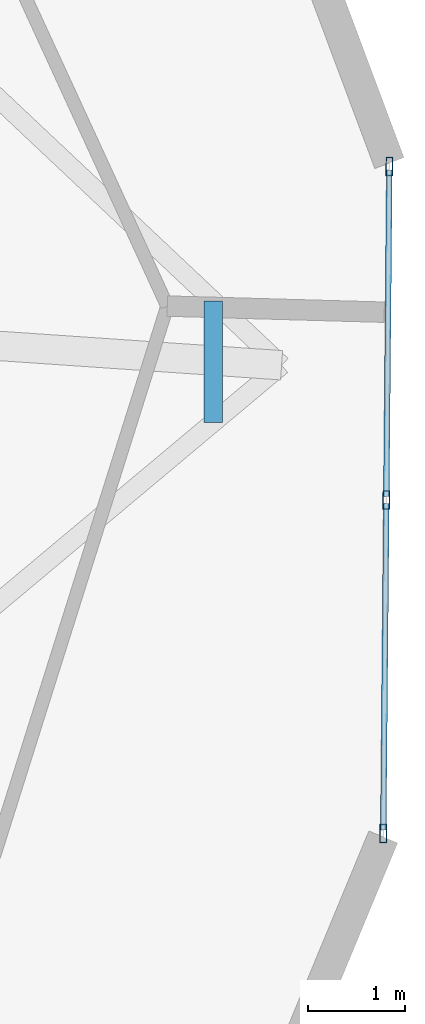
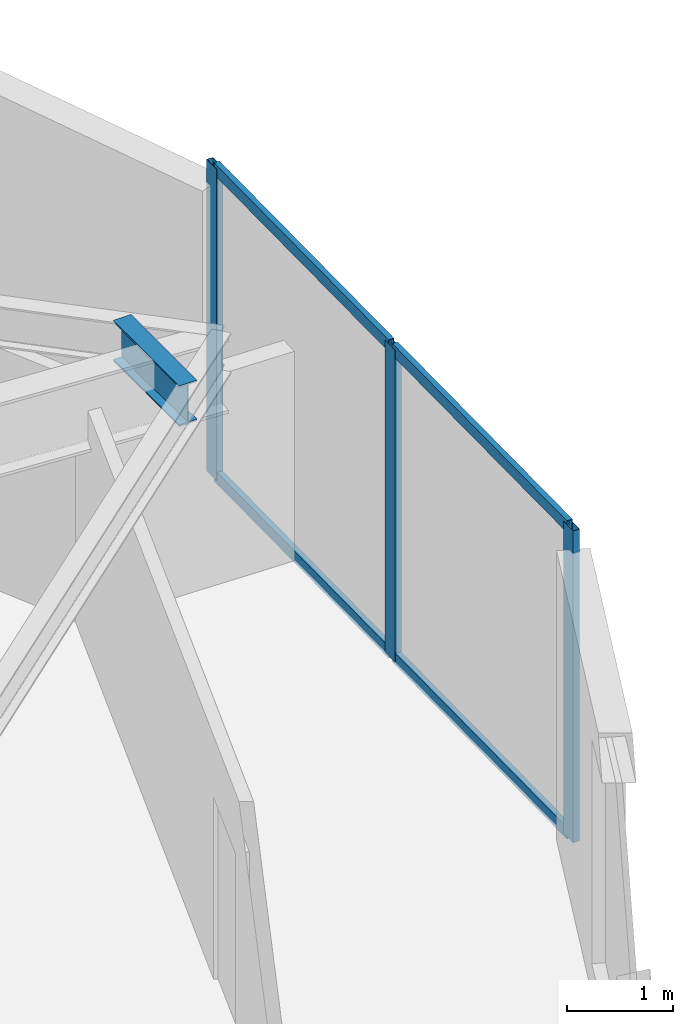
# One storey, part 10 of 20: 7 members, 1 beam, 1 element without a shape of its own.
"""IFC4 building model written with IfcOpenShell, lengths in metres."""

from ifc_helpers import new_model, si_unit, direction, frame, origin, origin_2d, place, context, subcontext, project, spatial, hollow_rectangle, i_section, extrude, source, transform, mapped, material, layer, layer_set, material_profile, profile_set, type_object, element, aggregate, save


model = new_model("IFC4")

# Units and contexts
model_context = context("Model", 3, precision=1e-05, world=origin(), true_north=direction((0.0, 1.0)))
body_context = subcontext(model_context, "Body", "Model", "MODEL_VIEW")
ifc_project = project(units=[si_unit("LENGTHUNIT", "METRE"), si_unit("AREAUNIT", "SQUARE_METRE"), si_unit("VOLUMEUNIT", "CUBIC_METRE"), si_unit("PLANEANGLEUNIT", "RADIAN"), si_unit("MASSUNIT", "GRAM", prefix="KILO")], contexts=[model_context])

# Site, building, storey
site_placement = place(None, origin())
site = spatial("IfcSite", under=ifc_project, at=site_placement, CompositionType="ELEMENT")
building_placement = place(site_placement, origin())
building = spatial("IfcBuilding", under=site, at=building_placement, Name="Solvirekh Grand Hotel", CompositionType="ELEMENT")
storey_placement = place(building_placement, frame((0.0, 0.0, 50.0)))
storey = spatial("IfcBuildingStorey", under=building, at=storey_placement, Name="L11", CompositionType="ELEMENT", Elevation=50.0)

# Beam
ifc_material_1 = material(Name="Steel S355", Category="steel")
ifc_material_profile_1 = material_profile(ifc_material_1, i_section(OverallWidth=0.194091796875, OverallDepth=0.468994140625, WebThickness=0.010986328125, FlangeThickness=0.01904296875, FilletRadius=0.012939453125, at=origin_2d()), Name="W460X106")
ifc_profile_set_1 = profile_set([ifc_material_profile_1], Name="Steel S355")
beam_type = type_object("IfcBeamType", Name="Beam_Radial_W460H", PredefinedType="BEAM", material=ifc_profile_set_1)
beam_placement = place(storey_placement, frame((25.85888671875, -1.133056640625, 3.055908203125), z_axis=(0.0, 1.0, 0.0), x_axis=(-1.0, 0.0, 0.0)))
element("IfcBeam", 1, at=beam_placement, inside=storey, type_object=beam_type, Name="L12 sky-garden outer cross trimmer", PredefinedType="BEAM", context=body_context, shape_type="SweptSolid", body=[
    extrude(i_section(OverallWidth=0.194091796875, OverallDepth=0.468994140625, WebThickness=0.010986328125, FlangeThickness=0.01904296875, FilletRadius=0.012939453125, at=origin_2d()), origin(), (0.0, 0.0, 1.0), 1.25),
])

# Curtain wall, members
ifc_material_2 = material(Name="Anodized Bronze Aluminium 6063-T6", Category="aluminium")
ifc_layer = layer(ifc_material_2, 0.18994140625)
ifc_layer_set = layer_set([ifc_layer], Name="Anodized Bronze Aluminium 6063-T6")
curtain_wall_type = type_object("IfcCurtainWallType", Name="CW_Sys2_LowZoneFlushBronzeCW", PredefinedType="NOTDEFINED", material=ifc_layer_set)
curtain_wall_placement = place(storey_placement, origin())
curtain_wall = element("IfcCurtainWall", 2, at=curtain_wall_placement, inside=storey, type_object=curtain_wall_type, Name="L11 unitised bronze-glass curtain wall CW-L11-C01", PredefinedType="NOTDEFINED")
ifc_material_profile_2 = material_profile(ifc_material_2, hollow_rectangle(XDim=0.070068359375, YDim=0.18994140625, WallThickness=0.0048828125, at=origin_2d()), Name="ALU RHS 190X70X5")
ifc_profile_set_2 = profile_set([ifc_material_profile_2], Name="Anodized Bronze Aluminium 6063-T6")
member_type_1 = type_object("IfcMemberType", Name="CWMullion_Sys2", PredefinedType="MULLION", material=ifc_profile_set_2)
shared_shape_1 = source(origin(), body_context, "Body", "SweptSolid", [
    extrude(hollow_rectangle(XDim=0.070068359375, YDim=0.18994140625, WallThickness=0.0048828125, at=origin_2d()), origin(), (0.0, 0.0, 1.0), 3.60009765625),
])
member_1_placement = place(storey_placement, frame((27.606201171875, -5.35693359375, 0.0), z_axis=(0.0, 0.0, 1.0), x_axis=(-0.999958620562, 0.00909709647, 0.0)))
member_1 = element("IfcMember", 3, at=member_1_placement, type_object=member_type_1, Name="U02 mullion 1", PredefinedType="MULLION", context=body_context, shape_type="MappedRepresentation", body=[
    mapped(shared_shape_1, transform((0.0, 0.0, 0.0), x_axis=(1.0, 0.0, 0.0), y_axis=(0.0, 1.0, 0.0), z_axis=(0.0, 0.0, 1.0), scale=1.0)),
])
member_2_placement = place(storey_placement, frame((27.637451171875, -1.929443359375, 0.0), z_axis=(0.0, 0.0, 1.0), x_axis=(-0.999958620562, 0.00909709647, 0.0)))
member_2 = element("IfcMember", 4, at=member_2_placement, type_object=member_type_1, Name="U02 mullion 2", PredefinedType="MULLION", context=body_context, shape_type="MappedRepresentation", body=[
    mapped(shared_shape_1, transform((0.0, 0.0, 0.0), x_axis=(1.0, 0.0, 0.0), y_axis=(0.0, 1.0, 0.0), z_axis=(0.0, 0.0, 1.0), scale=1.0)),
])
member_3_placement = place(storey_placement, frame((27.668701171875, 1.498046875, 0.0), z_axis=(0.0, 0.0, 1.0), x_axis=(-0.999958620562, 0.00909709647, 0.0)))
member_3 = element("IfcMember", 5, at=member_3_placement, type_object=member_type_1, Name="U02 mullion 3", PredefinedType="MULLION", context=body_context, shape_type="MappedRepresentation", body=[
    mapped(shared_shape_1, transform((0.0, 0.0, 0.0), x_axis=(1.0, 0.0, 0.0), y_axis=(0.0, 1.0, 0.0), z_axis=(0.0, 0.0, 1.0), scale=1.0)),
])
ifc_material_profile_3 = material_profile(ifc_material_2, hollow_rectangle(XDim=0.06005859375, YDim=0.135009765625, WallThickness=0.00390625, at=origin_2d()), Name="ALU RHS 135X60X4")
ifc_profile_set_3 = profile_set([ifc_material_profile_3], Name="Anodized Bronze Aluminium 6063-T6")
member_type_2 = type_object("IfcMemberType", Name="CWTransom_Sys2", PredefinedType="USERDEFINED", material=ifc_profile_set_3)
shared_shape_2 = source(origin(), body_context, "Body", "SweptSolid", [
    extrude(hollow_rectangle(XDim=0.06005859375, YDim=0.135009765625, WallThickness=0.00390625, at=origin_2d()), origin(), (0.0, 0.0, 1.0), 3.357666015625),
])
member_4_placement = place(storey_placement, frame((27.606689453125, -5.322021484375, 0.030029296875), z_axis=(0.009089211499, 0.999958692264, 0.0), x_axis=(-0.999958692264, 0.009089211499, 0.0)))
member_4 = element("IfcMember", 6, at=member_4_placement, type_object=member_type_2, Name="U02 transom 1.1", ObjectType="TRANSOM", PredefinedType="USERDEFINED", context=body_context, shape_type="MappedRepresentation", body=[
    mapped(shared_shape_2, transform((0.0, 0.0, 0.0), x_axis=(1.0, 0.0, 0.0), y_axis=(0.0, 1.0, 0.0), z_axis=(0.0, 0.0, 1.0), scale=1.0)),
])
member_5_placement = place(storey_placement, frame((27.606689453125, -5.322021484375, 3.570068359375), z_axis=(0.009089211499, 0.999958692264, 0.0), x_axis=(-0.999958692264, 0.009089211499, 0.0)))
member_5 = element("IfcMember", 7, at=member_5_placement, type_object=member_type_2, Name="U02 transom 1.2", ObjectType="TRANSOM", PredefinedType="USERDEFINED", context=body_context, shape_type="MappedRepresentation", body=[
    mapped(shared_shape_2, transform((0.0, 0.0, 0.0), x_axis=(1.0, 0.0, 0.0), y_axis=(0.0, 1.0, 0.0), z_axis=(0.0, 0.0, 1.0), scale=1.0)),
])
member_6_placement = place(storey_placement, frame((27.637939453125, -1.89453125, 0.030029296875), z_axis=(0.009089211499, 0.999958692264, 0.0), x_axis=(-0.999958692264, 0.009089211499, 0.0)))
member_6 = element("IfcMember", 8, at=member_6_placement, type_object=member_type_2, Name="U02 transom 2.1", ObjectType="TRANSOM", PredefinedType="USERDEFINED", context=body_context, shape_type="MappedRepresentation", body=[
    mapped(shared_shape_2, transform((0.0, 0.0, 0.0), x_axis=(1.0, 0.0, 0.0), y_axis=(0.0, 1.0, 0.0), z_axis=(0.0, 0.0, 1.0), scale=1.0)),
])
member_7_placement = place(storey_placement, frame((27.637939453125, -1.89453125, 3.570068359375), z_axis=(0.009089211499, 0.999958692264, 0.0), x_axis=(-0.999958692264, 0.009089211499, 0.0)))
member_7 = element("IfcMember", 9, at=member_7_placement, type_object=member_type_2, Name="U02 transom 2.2", ObjectType="TRANSOM", PredefinedType="USERDEFINED", context=body_context, shape_type="MappedRepresentation", body=[
    mapped(shared_shape_2, transform((0.0, 0.0, 0.0), x_axis=(1.0, 0.0, 0.0), y_axis=(0.0, 1.0, 0.0), z_axis=(0.0, 0.0, 1.0), scale=1.0)),
])
aggregate(curtain_wall, [member_1, member_2, member_3, member_4, member_5, member_6, member_7])

save(model, "model.ifc")
